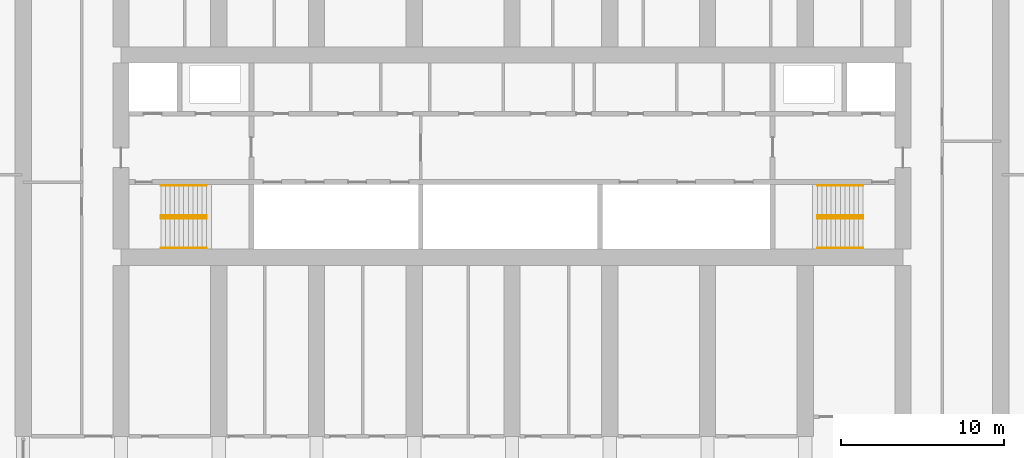
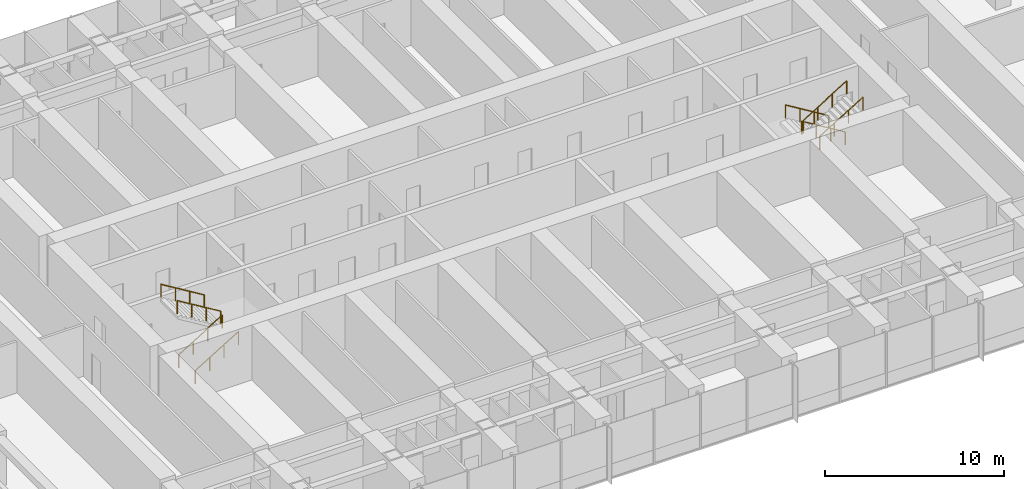
# One storey, part 23 of 23: 8 railings.
"""IFC4 building model written with IfcOpenShell, lengths in metres."""

from ifc_helpers import new_model, si_unit, direction, frame, origin, origin_2d, place, context, subcontext, project, spatial, circle, extrude, material, type_object, element, save


model = new_model("IFC4")

# Units and contexts
model_context = context("Model", 3, precision=1e-05, world=origin(), true_north=direction((0.0, 1.0)))
body_context = subcontext(model_context, "Body", "Model", "MODEL_VIEW")
ifc_project = project(units=[si_unit("LENGTHUNIT", "METRE"), si_unit("AREAUNIT", "SQUARE_METRE"), si_unit("VOLUMEUNIT", "CUBIC_METRE"), si_unit("PLANEANGLEUNIT", "RADIAN"), si_unit("MASSUNIT", "GRAM", prefix="KILO")], contexts=[model_context])

# Site, building, storey
site_placement = place(None, origin())
site = spatial("IfcSite", under=ifc_project, at=site_placement, CompositionType="ELEMENT")
building_placement = place(site_placement, origin())
building = spatial("IfcBuilding", under=site, at=building_placement, Name="Orbita Commons", CompositionType="ELEMENT")
storey_placement = place(building_placement, frame((0.0, 0.0, 46.449951171875)))
storey = spatial("IfcBuildingStorey", under=building, at=storey_placement, Name="L11", CompositionType="ELEMENT", Elevation=46.449951171875)

# Railings
ifc_material = material(Name="Steel tube, painted", Category="steel")
railing_type = type_object("IfcRailingType", Name="Stair handrail steel tube 900", PredefinedType="HANDRAIL", material=ifc_material)
for number, where, name in (
    (1, (20.449951171875, 28.18994140625, 0.17041015625), "Stair S1 handrail L11 flight 1"),
    (2, (20.449951171875, 26.360107421875, 0.17041015625), "Stair S1 handrail L11 flight 1"),
):
    element("IfcRailing", number, at=place(storey_placement, frame(where)), inside=storey, type_object=railing_type, Name=name, PredefinedType="HANDRAIL", context=body_context, shape_type="SweptSolid", body=[
        extrude(circle(Radius=0.02099609375, at=origin_2d()), frame((0.0, 0.0, 0.87890625), z_axis=(0.854169791009, 0.0, 0.51999420009), x_axis=(0.0, 1.0, 0.0)), (0.0, 0.0, 1.0), 3.278076171875),
        extrude(circle(Radius=0.02001953125, at=origin_2d()), origin(), (0.0, 0.0, 1.0), 0.85791015625),
        extrude(circle(Radius=0.02001953125, at=origin_2d()), frame((0.933349609375, 0.0, 0.568115234375)), (0.0, 0.0, 1.0), 0.85791015625),
        extrude(circle(Radius=0.02001953125, at=origin_2d()), frame((1.86669921875, 0.0, 1.136474609375)), (0.0, 0.0, 1.0), 0.85791015625),
        extrude(circle(Radius=0.02001953125, at=origin_2d()), frame((2.800048828125, 0.0, 1.70458984375)), (0.0, 0.0, 1.0), 0.85791015625),
    ])
for number, where, name in (
    (3, (23.25, 28.360107421875, 2.04541015625), "Stair S1 handrail L11 flight 2"),
    (4, (23.25, 30.18994140625, 2.04541015625), "Stair S1 handrail L11 flight 2"),
    (5, (63.550048828125, 28.360107421875, 0.17041015625), "Stair S2 handrail L11 flight 1"),
    (6, (63.550048828125, 30.18994140625, 0.17041015625), "Stair S2 handrail L11 flight 1"),
):
    element("IfcRailing", number, at=place(storey_placement, frame(where)), inside=storey, type_object=railing_type, Name=name, PredefinedType="HANDRAIL", context=body_context, shape_type="SweptSolid", body=[
        extrude(circle(Radius=0.02099609375, at=origin_2d()), frame((0.0, 0.0, 0.87890625), z_axis=(-0.854169791009, 0.0, 0.51999420009), x_axis=(0.0, -1.0, 0.0)), (0.0, 0.0, 1.0), 3.278076171875),
        extrude(circle(Radius=0.02001953125, at=origin_2d()), origin(), (0.0, 0.0, 1.0), 0.85791015625),
        extrude(circle(Radius=0.02001953125, at=origin_2d()), frame((-0.933349609375, 0.0, 0.568115234375)), (0.0, 0.0, 1.0), 0.85791015625),
        extrude(circle(Radius=0.02001953125, at=origin_2d()), frame((-1.86669921875, 0.0, 1.136474609375)), (0.0, 0.0, 1.0), 0.85791015625),
        extrude(circle(Radius=0.02001953125, at=origin_2d()), frame((-2.800048828125, 0.0, 1.70458984375)), (0.0, 0.0, 1.0), 0.85791015625),
    ])
for number, where, name in (
    (7, (60.75, 28.18994140625, 2.04541015625), "Stair S2 handrail L11 flight 2"),
    (8, (60.75, 26.360107421875, 2.04541015625), "Stair S2 handrail L11 flight 2"),
):
    element("IfcRailing", number, at=place(storey_placement, frame(where)), inside=storey, type_object=railing_type, Name=name, PredefinedType="HANDRAIL", context=body_context, shape_type="SweptSolid", body=[
        extrude(circle(Radius=0.02099609375, at=origin_2d()), frame((0.0, 0.0, 0.87890625), z_axis=(0.854169791009, 0.0, 0.51999420009), x_axis=(0.0, 1.0, 0.0)), (0.0, 0.0, 1.0), 3.278076171875),
        extrude(circle(Radius=0.02001953125, at=origin_2d()), origin(), (0.0, 0.0, 1.0), 0.85791015625),
        extrude(circle(Radius=0.02001953125, at=origin_2d()), frame((0.933349609375, 0.0, 0.568115234375)), (0.0, 0.0, 1.0), 0.85791015625),
        extrude(circle(Radius=0.02001953125, at=origin_2d()), frame((1.86669921875, 0.0, 1.136474609375)), (0.0, 0.0, 1.0), 0.85791015625),
        extrude(circle(Radius=0.02001953125, at=origin_2d()), frame((2.800048828125, 0.0, 1.70458984375)), (0.0, 0.0, 1.0), 0.85791015625),
    ])

save(model, "model.ifc")
